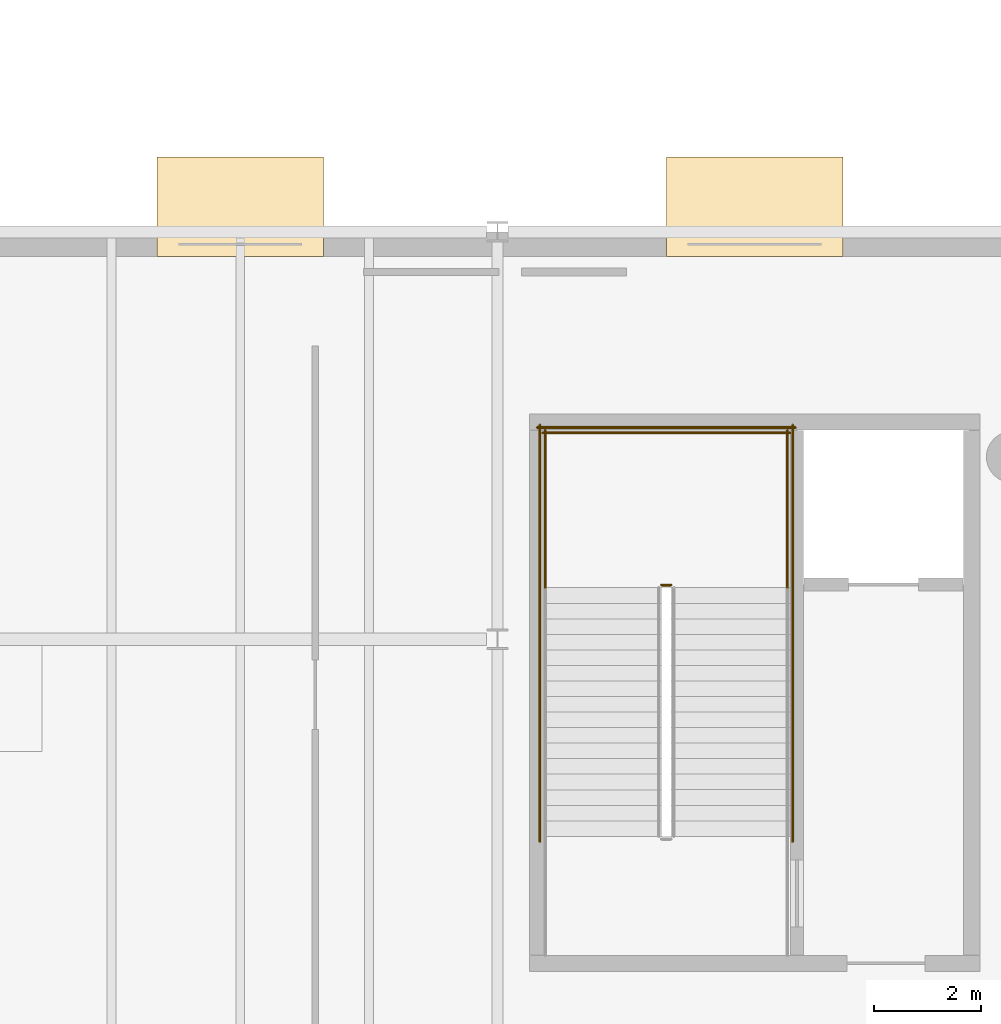
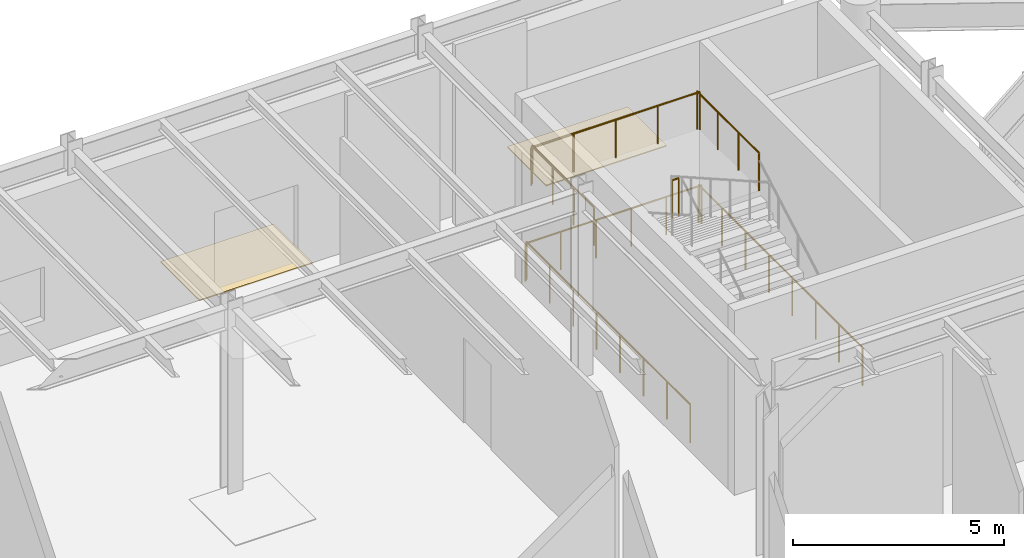
# One storey, part 68 of 70: 7 railings, 2 coverings.
"""IFC4 building model written with IfcOpenShell, lengths in metres."""

from ifc_helpers import new_model, si_unit, direction, frame, origin, origin_2d, place, context, subcontext, project, spatial, rectangle, circle, extrude, material, layer, layer_set, type_object, element, save


model = new_model("IFC4")

# Units and contexts
model_context = context("Model", 3, precision=1e-05, world=origin(), true_north=direction((0.0, 1.0)))
body_context = subcontext(model_context, "Body", "Model", "MODEL_VIEW")
ifc_project = project(units=[si_unit("LENGTHUNIT", "METRE"), si_unit("AREAUNIT", "SQUARE_METRE"), si_unit("VOLUMEUNIT", "CUBIC_METRE"), si_unit("PLANEANGLEUNIT", "RADIAN"), si_unit("MASSUNIT", "GRAM", prefix="KILO")], contexts=[model_context])

# Site, building, storey
site_placement = place(None, origin())
site = spatial("IfcSite", under=ifc_project, at=site_placement, CompositionType="ELEMENT")
building_placement = place(site_placement, origin())
building = spatial("IfcBuilding", under=site, at=building_placement, Name="Sarnbrook Museum", CompositionType="ELEMENT")
storey_placement = place(building_placement, origin())
storey = spatial("IfcBuildingStorey", under=building, at=storey_placement, Name="L00", CompositionType="ELEMENT", Elevation=0.0)

# Railings
ifc_material_1 = material(Name="Brushed Stainless Steel Grade 316", Category="steel")
ifc_layer_1 = layer(ifc_material_1, 0.050048828125)
ifc_layer_set_1 = layer_set([ifc_layer_1], Name="Brushed Stainless Steel Grade 316")
railing_type = type_object("IfcRailingType", Name="Guard_Int1120", PredefinedType="BALUSTRADE", material=ifc_layer_set_1)
railing_1_placement = place(storey_placement, frame((112.840087890625, 101.81005859375, 2.800048828125)))
element("IfcRailing", 1, at=railing_1_placement, inside=storey, type_object=railing_type, Name="L00 ST2 stair guard 2", PredefinedType="BALUSTRADE", context=body_context, shape_type="SweptSolid", body=[
    extrude(circle(Radius=0.02392578125, at=origin_2d()), frame((0.0, 0.0, 1.09619140625), z_axis=(-1.0, 0.0, 0.0), x_axis=(0.0, -1.0, 0.0)), (0.0, 0.0, 1.0), 0.18017578125),
    extrude(circle(Radius=0.02099609375, at=origin_2d()), origin(), (0.0, 0.0, 1.0), 1.072021484375),
    extrude(circle(Radius=0.02099609375, at=origin_2d()), frame((-0.18017578125, 0.0, 0.0)), (0.0, 0.0, 1.0), 1.072021484375),
])
for number, where, name in (
    (2, (115.010009765625, 101.760009765625, 2.800048828125), "L00 ST2 stair guard 3"),
    (3, (110.489990234375, 101.760009765625, 2.800048828125), "L00 ST2 stair guard 4"),
):
    element("IfcRailing", number, at=place(storey_placement, frame(where)), inside=storey, type_object=railing_type, Name=name, PredefinedType="BALUSTRADE", context=body_context, shape_type="SweptSolid", body=[
        extrude(circle(Radius=0.02392578125, at=origin_2d()), frame((0.0, 0.0, 1.09619140625), z_axis=(0.0, 1.0, 0.0), x_axis=(-1.0, 0.0, 0.0)), (0.0, 0.0, 1.0), 2.93994140625),
        extrude(circle(Radius=0.02099609375, at=origin_2d()), origin(), (0.0, 0.0, 1.0), 1.072021484375),
        extrude(circle(Radius=0.02099609375, at=origin_2d()), frame((0.0, 0.97998046875, 0.0)), (0.0, 0.0, 1.0), 1.072021484375),
        extrude(circle(Radius=0.02099609375, at=origin_2d()), frame((0.0, 1.9599609375, 0.0)), (0.0, 0.0, 1.0), 1.072021484375),
        extrude(circle(Radius=0.02099609375, at=origin_2d()), frame((0.0, 2.93994140625, 0.0)), (0.0, 0.0, 1.0), 1.072021484375),
    ])
railing_2_placement = place(storey_placement, frame((115.06005859375, 104.64990234375, 2.800048828125)))
element("IfcRailing", 4, at=railing_2_placement, inside=storey, type_object=railing_type, Name="L00 ST2 stair guard 5", PredefinedType="BALUSTRADE", context=body_context, shape_type="SweptSolid", body=[
    extrude(circle(Radius=0.02392578125, at=origin_2d()), frame((0.0, 0.0, 1.09619140625), z_axis=(-1.0, 0.0, 0.0), x_axis=(0.0, -1.0, 0.0)), (0.0, 0.0, 1.0), 4.6201171875),
    extrude(circle(Radius=0.02099609375, at=origin_2d()), origin(), (0.0, 0.0, 1.0), 1.072021484375),
    extrude(circle(Radius=0.02099609375, at=origin_2d()), frame((-1.155029296875, 0.0, 0.0)), (0.0, 0.0, 1.0), 1.072021484375),
    extrude(circle(Radius=0.02099609375, at=origin_2d()), frame((-2.31005859375, 0.0, 0.0)), (0.0, 0.0, 1.0), 1.072021484375),
    extrude(circle(Radius=0.02099609375, at=origin_2d()), frame((-3.465087890625, 0.0, 0.0)), (0.0, 0.0, 1.0), 1.072021484375),
    extrude(circle(Radius=0.02099609375, at=origin_2d()), frame((-4.6201171875, 0.0, 0.0)), (0.0, 0.0, 1.0), 1.072021484375),
])
for number, where, name in (
    (5, (115.110107421875, 97.02001953125, 0.0), "L00 ST2 stair guard 10"),
    (6, (110.389892578125, 97.02001953125, 0.0), "L00 ST2 stair guard 11"),
):
    element("IfcRailing", number, at=place(storey_placement, frame(where)), inside=storey, type_object=railing_type, Name=name, PredefinedType="BALUSTRADE", context=body_context, shape_type="SweptSolid", body=[
        extrude(circle(Radius=0.02392578125, at=origin_2d()), frame((0.0, 0.0, 1.09619140625), z_axis=(0.0, 1.0, 0.0), x_axis=(-1.0, 0.0, 0.0)), (0.0, 0.0, 1.0), 7.780029296875),
        extrude(circle(Radius=0.02099609375, at=origin_2d()), origin(), (0.0, 0.0, 1.0), 1.072021484375),
        extrude(circle(Radius=0.02099609375, at=origin_2d()), frame((0.0, 1.111328125, 0.0)), (0.0, 0.0, 1.0), 1.072021484375),
        extrude(circle(Radius=0.02099609375, at=origin_2d()), frame((0.0, 2.222900390625, 0.0)), (0.0, 0.0, 1.0), 1.072021484375),
        extrude(circle(Radius=0.02099609375, at=origin_2d()), frame((0.0, 3.334228515625, 0.0)), (0.0, 0.0, 1.0), 1.072021484375),
        extrude(circle(Radius=0.02099609375, at=origin_2d()), frame((0.0, 4.44580078125, 0.0)), (0.0, 0.0, 1.0), 1.072021484375),
        extrude(circle(Radius=0.02099609375, at=origin_2d()), frame((0.0, 5.55712890625, 0.0)), (0.0, 0.0, 1.0), 1.072021484375),
        extrude(circle(Radius=0.02099609375, at=origin_2d()), frame((0.0, 6.668701171875, 0.0)), (0.0, 0.0, 1.0), 1.072021484375),
        extrude(circle(Radius=0.02099609375, at=origin_2d()), frame((0.0, 7.780029296875, 0.0)), (0.0, 0.0, 1.0), 1.072021484375),
    ])
railing_3_placement = place(storey_placement, frame((115.159912109375, 104.75, 0.0)))
element("IfcRailing", 7, at=railing_3_placement, inside=storey, type_object=railing_type, Name="L00 ST2 stair guard 12", PredefinedType="BALUSTRADE", context=body_context, shape_type="SweptSolid", body=[
    extrude(circle(Radius=0.02392578125, at=origin_2d()), frame((0.0, 0.0, 1.09619140625), z_axis=(-1.0, 0.0, 0.0), x_axis=(0.0, -1.0, 0.0)), (0.0, 0.0, 1.0), 4.81982421875),
    extrude(circle(Radius=0.02099609375, at=origin_2d()), origin(), (0.0, 0.0, 1.0), 1.072021484375),
    extrude(circle(Radius=0.02099609375, at=origin_2d()), frame((-0.9638671875, 0.0, 0.0)), (0.0, 0.0, 1.0), 1.072021484375),
    extrude(circle(Radius=0.02099609375, at=origin_2d()), frame((-1.927978515625, 0.0, 0.0)), (0.0, 0.0, 1.0), 1.072021484375),
    extrude(circle(Radius=0.02099609375, at=origin_2d()), frame((-2.891845703125, 0.0, 0.0)), (0.0, 0.0, 1.0), 1.072021484375),
    extrude(circle(Radius=0.02099609375, at=origin_2d()), frame((-3.85595703125, 0.0, 0.0)), (0.0, 0.0, 1.0), 1.072021484375),
    extrude(circle(Radius=0.02099609375, at=origin_2d()), frame((-4.81982421875, 0.0, 0.0)), (0.0, 0.0, 1.0), 1.072021484375),
])

# Coverings
ifc_material_2 = material(Name="Victorian Bluestone Ashlar Masonry", Category="masonry")
ifc_layer_2 = layer(ifc_material_2, 0.030029296875)
ifc_layer_set_2 = layer_set([ifc_layer_2], Name="Victorian Bluestone Ashlar Masonry")
covering_type = type_object("IfcCoveringType", Name="Paving_BluestoneApron", PredefinedType="FLOORING", material=ifc_layer_set_2)
covering_1_placement = place(storey_placement, frame((104.800048828125, 108.8701171875, -0.02978515625), z_axis=(0.0, 0.0, 1.0), x_axis=(1.0, 0.0, 0.0)))
element("IfcCovering", 8, at=covering_1_placement, inside=storey, type_object=covering_type, Name="Exterior Bluestone Entry Paving 19", PredefinedType="FLOORING", context=body_context, shape_type="SweptSolid", body=[
    extrude(rectangle(XDim=3.10009765625, YDim=1.85009765625, at=origin_2d()), origin(), (0.0, 0.0, 1.0), 0.030029296875),
])
covering_2_placement = place(storey_placement, frame((114.39990234375, 108.8701171875, -0.02978515625), z_axis=(0.0, 0.0, 1.0), x_axis=(1.0, 0.0, 0.0)))
element("IfcCovering", 9, at=covering_2_placement, inside=storey, type_object=covering_type, Name="Exterior Bluestone Entry Paving 20", PredefinedType="FLOORING", context=body_context, shape_type="SweptSolid", body=[
    extrude(rectangle(XDim=3.300048828125, YDim=1.85009765625, at=origin_2d()), origin(), (0.0, 0.0, 1.0), 0.030029296875),
])

save(model, "model.ifc")
